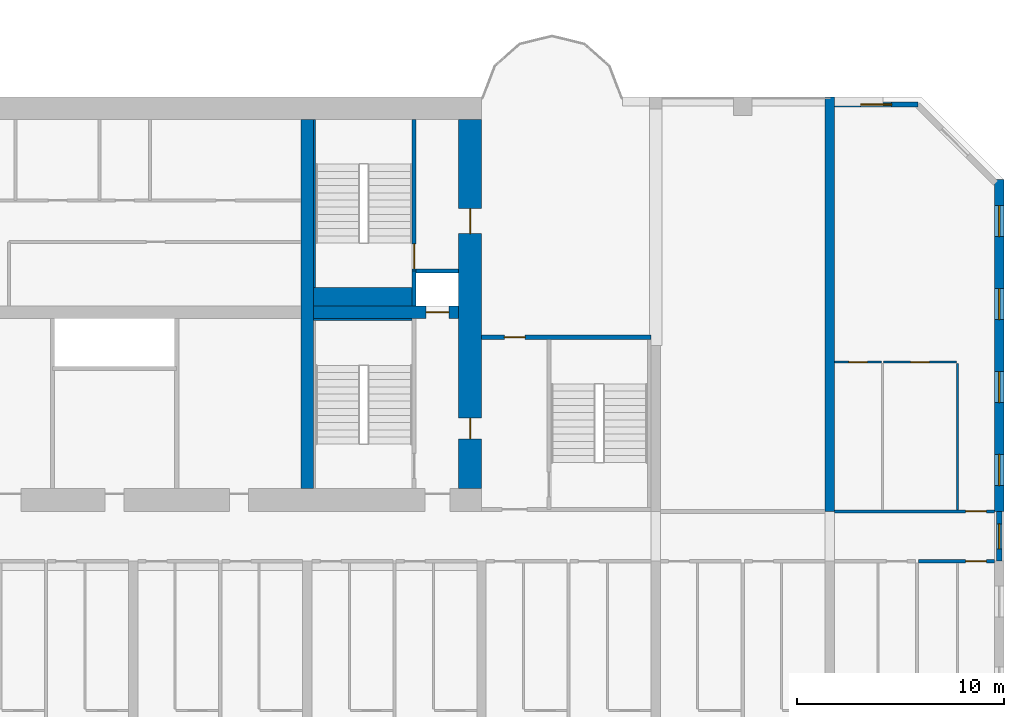
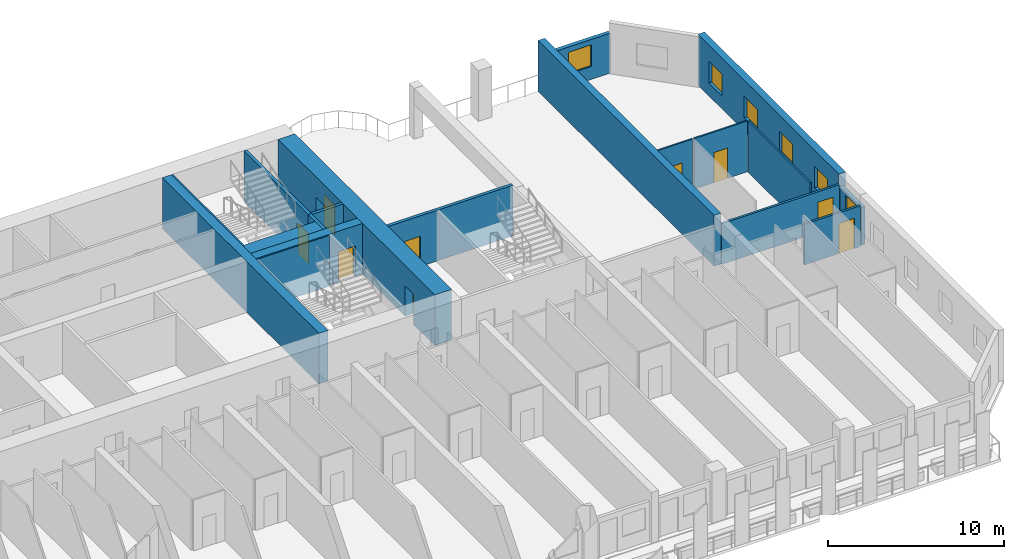
# One storey, part 10 of 14: 19 walls, 9 doors, 6 windows, 15 openings.
"""IFC4 building model written with IfcOpenShell, lengths in metres."""

from ifc_helpers import new_model, si_unit, direction, frame, frame_2d, origin, place, context, subcontext, project, spatial, rectangle, extrude, source, transform, mapped, material, layer, layer_set, type_object, element, fill, save


model = new_model("IFC4")

# Units and contexts
model_context = context("Model", 3, precision=1e-05, world=origin(), true_north=direction((0.0, 1.0)))
body_context = subcontext(model_context, "Body", "Model", "MODEL_VIEW")
ifc_project = project(units=[si_unit("LENGTHUNIT", "METRE"), si_unit("AREAUNIT", "SQUARE_METRE"), si_unit("VOLUMEUNIT", "CUBIC_METRE"), si_unit("PLANEANGLEUNIT", "RADIAN"), si_unit("MASSUNIT", "GRAM", prefix="KILO")], contexts=[model_context])

# Site, building, storey
site_placement = place(None, origin())
site = spatial("IfcSite", under=ifc_project, at=site_placement, CompositionType="ELEMENT")
building_placement = place(site_placement, origin())
building = spatial("IfcBuilding", under=site, at=building_placement, Name="Vanashikhar Sky Hotel", CompositionType="ELEMENT")
storey_placement = place(building_placement, frame((0.0, 0.0, 27.800048828125)))
storey = spatial("IfcBuildingStorey", under=building, at=storey_placement, Name="L05", CompositionType="ELEMENT", Elevation=27.800048828125)

# Wall, openings, doors
ifc_material_1 = material(Name="Concrete M80", Category="concrete")
ifc_layer_1 = layer(ifc_material_1, 1.10009765625)
ifc_layer_set_1 = layer_set([ifc_layer_1], Name="RC core shell wall 1100 Concrete M80")
wall_type_1 = type_object("IfcWallType", Name="RC core shell wall 1100 Concrete M80", PredefinedType="SHEAR", material=ifc_layer_set_1)
shared_shape_1 = source(origin(), body_context, "Body", "SweptSolid", [
    extrude(rectangle(XDim=17.7998046875, YDim=1.10009765625, at=frame_2d((8.89990234375, 0.0))), origin(), (0.0, 0.0, 1.0), 3.52001953125),
])
wall_1_placement = place(storey_placement, frame((75.050048828125, 23.10009765625, 0.0), z_axis=(0.0, 0.0, 1.0), x_axis=(0.0, 1.0, 0.0)))
wall_1 = element("IfcWall", 1, at=wall_1_placement, inside=storey, type_object=wall_type_1, Name="KW-L05-KE", PredefinedType="SHEAR", context=body_context, shape_type="MappedRepresentation", body=[
    mapped(shared_shape_1, transform((0.0, 0.0, 0.0), scale=1.0)),
])
shared_shape_2 = source(origin(), body_context, "Body", "SweptSolid", [
    extrude(rectangle(XDim=1.0, YDim=2.10009765625, at=frame_2d((0.5, 1.050048828125))), frame((0.0, 0.56005859375, 0.0), z_axis=(0.0, -1.0, 0.0), x_axis=(1.0, 0.0, 0.0)), (0.0, 0.0, 1.0), 1.1201171875),
])
opening_1_placement = place(wall_1_placement, frame((2.39990234375, 0.0, 0.0)))
opening_1 = element("IfcOpeningElement", 2, at=opening_1_placement, cuts=wall_1, Name="Opening DC-5", PredefinedType="OPENING", context=body_context, shape_type="MappedRepresentation", body=[
    mapped(shared_shape_2, transform((0.0, 0.0, 0.0), scale=1.0)),
])
shared_shape_3 = source(origin(), body_context, "Body", "SweptSolid", [
    extrude(rectangle(XDim=1.199951171875, YDim=2.10009765625, at=frame_2d((0.60009765625, 1.050048828125))), frame((0.0, 0.56005859375, 0.0), z_axis=(0.0, -1.0, 0.0), x_axis=(1.0, 0.0, 0.0)), (0.0, 0.0, 1.0), 1.1201171875),
])
opening_2_placement = place(wall_1_placement, frame((12.300048828125, 0.0, 0.0)))
opening_2 = element("IfcOpeningElement", 3, at=opening_2_placement, cuts=wall_1, Name="Opening DC-4-D", PredefinedType="OPENING", context=body_context, shape_type="MappedRepresentation", body=[
    mapped(shared_shape_3, transform((0.0, 0.0, 0.0), scale=1.0)),
])
ifc_material_2 = material(Name="Steel", Category="steel")
door_type_1 = type_object("IfcDoorType", Name="Refuge door 1000 FD120", OperationType="NOTDEFINED", PredefinedType="DOOR", material=ifc_material_2)
shared_shape_4 = source(origin(), body_context, "Body", "SweptSolid", [
    extrude(rectangle(XDim=1.0, YDim=2.10009765625, at=frame_2d((0.5, 1.050048828125))), frame((0.0, 0.02490234375, 0.0), z_axis=(0.0, -1.0, 0.0), x_axis=(1.0, 0.0, 0.0)), (0.0, 0.0, 1.0), 0.050048828125),
])
door_1_placement = place(opening_1_placement, origin())
door_1 = element("IfcDoor", 4, at=door_1_placement, inside=storey, type_object=door_type_1, Name="Refuge door 1000 FD120", OperationType="SINGLE_SWING_LEFT", OverallHeight=2.10009765625, OverallWidth=1.0, PredefinedType="DOOR", context=body_context, shape_type="MappedRepresentation", body=[
    mapped(shared_shape_4, transform((0.0, 0.0, 0.0), scale=1.0)),
])
fill(opening_1, door_1)
door_type_2 = type_object("IfcDoorType", Name="Service door 1200 FD120", OperationType="NOTDEFINED", PredefinedType="DOOR", material=ifc_material_2)
shared_shape_5 = source(origin(), body_context, "Body", "SweptSolid", [
    extrude(rectangle(XDim=1.199951171875, YDim=2.10009765625, at=frame_2d((0.60009765625, 1.050048828125))), frame((0.0, 0.02490234375, 0.0), z_axis=(0.0, -1.0, 0.0), x_axis=(1.0, 0.0, 0.0)), (0.0, 0.0, 1.0), 0.050048828125),
])
door_2_placement = place(opening_2_placement, origin())
door_2 = element("IfcDoor", 5, at=door_2_placement, inside=storey, type_object=door_type_2, Name="Service door 1200 FD120", OperationType="SINGLE_SWING_LEFT", OverallHeight=2.10009765625, OverallWidth=1.199951171875, PredefinedType="DOOR", context=body_context, shape_type="MappedRepresentation", body=[
    mapped(shared_shape_5, transform((0.0, 0.0, 0.0), scale=1.0)),
])
fill(opening_2, door_2)

# Wall
ifc_layer_2 = layer(ifc_material_1, 0.60009765625)
ifc_layer_set_2 = layer_set([ifc_layer_2], Name="RC core inner wall 600 Concrete M80")
wall_type_2 = type_object("IfcWallType", Name="RC core inner wall 600 Concrete M80", PredefinedType="SHEAR", material=ifc_layer_set_2)
shared_shape_6 = source(origin(), body_context, "Body", "SweptSolid", [
    extrude(rectangle(XDim=17.7998046875, YDim=0.60009765625, at=frame_2d((8.89990234375, 0.0))), origin(), (0.0, 0.0, 1.0), 3.52001953125),
])
wall_2_placement = place(storey_placement, frame((67.199951171875, 23.10009765625, 0.0), z_axis=(0.0, 0.0, 1.0), x_axis=(0.0, 1.0, 0.0)))
element("IfcWall", 6, at=wall_2_placement, inside=storey, type_object=wall_type_2, Name="KW-L05-KX3", PredefinedType="SHEAR", context=body_context, shape_type="MappedRepresentation", body=[
    mapped(shared_shape_6, transform((0.0, 0.0, 0.0), scale=1.0)),
])

# Wall, opening, door
shared_shape_7 = source(origin(), body_context, "Body", "SweptSolid", [
    extrude(rectangle(XDim=7.0, YDim=0.60009765625, at=frame_2d((3.5, 0.0))), origin(), (0.0, 0.0, 1.0), 3.52001953125),
])
wall_3_placement = place(storey_placement, frame((67.5, 31.60009765625, 0.0), z_axis=(0.0, 0.0, 1.0), x_axis=(1.0, 0.0, 0.0)))
wall_3 = element("IfcWall", 7, at=wall_3_placement, inside=storey, type_object=wall_type_2, Name="KW-L05-KY4", PredefinedType="SHEAR", context=body_context, shape_type="MappedRepresentation", body=[
    mapped(shared_shape_7, transform((0.0, 0.0, 0.0), scale=1.0)),
])
shared_shape_8 = source(origin(), body_context, "Body", "SweptSolid", [
    extrude(rectangle(XDim=1.10009765625, YDim=2.10009765625, at=frame_2d((0.550048828125, 1.050048828125))), frame((0.0, 0.31005859375, 0.0), z_axis=(0.0, -1.0, 0.0), x_axis=(1.0, 0.0, 0.0)), (0.0, 0.0, 1.0), 0.6201171875),
])
opening_3_placement = place(wall_3_placement, frame((5.425048828125, 0.0, 0.0)))
opening_3 = element("IfcOpeningElement", 8, at=opening_3_placement, cuts=wall_3, Name="Opening LD", PredefinedType="OPENING", context=body_context, shape_type="MappedRepresentation", body=[
    mapped(shared_shape_8, transform((0.0, 0.0, 0.0), scale=1.0)),
])
ifc_material_3 = material(Name="Stainless steel", Category="steel")
door_type_3 = type_object("IfcDoorType", Name="Lift landing door 1100", OperationType="NOTDEFINED", PredefinedType="DOOR", material=ifc_material_3)
shared_shape_9 = source(origin(), body_context, "Body", "SweptSolid", [
    extrude(rectangle(XDim=1.10009765625, YDim=2.10009765625, at=frame_2d((0.550048828125, 1.050048828125))), frame((0.0, 0.02490234375, 0.0), z_axis=(0.0, -1.0, 0.0), x_axis=(1.0, 0.0, 0.0)), (0.0, 0.0, 1.0), 0.050048828125),
])
door_3_placement = place(opening_3_placement, origin())
door_3 = element("IfcDoor", 9, at=door_3_placement, inside=storey, type_object=door_type_3, Name="Lift landing door 1100", OperationType="SLIDING_TO_RIGHT", OverallHeight=2.10009765625, OverallWidth=1.10009765625, PredefinedType="DOOR", context=body_context, shape_type="MappedRepresentation", body=[
    mapped(shared_shape_9, transform((0.0, 0.0, 0.0), scale=1.0)),
])
fill(opening_3, door_3)

# Wall, openings, windows
ifc_layer_3 = layer(ifc_material_1, 0.449951171875)
ifc_layer_set_3 = layer_set([ifc_layer_3], Name="RC shear wall 450 Concrete M80")
wall_type_3 = type_object("IfcWallType", Name="RC shear wall 450 Concrete M80", PredefinedType="SHEAR", material=ifc_layer_set_3)
shared_shape_10 = source(origin(), body_context, "Body", "SweptSolid", [
    extrude(rectangle(XDim=16.0, YDim=0.449951171875, at=frame_2d((8.0, 0.0))), origin(), (0.0, 0.0, 1.0), 3.52001953125),
])
wall_4_placement = place(storey_placement, frame((100.574951171875, 22.0, 0.0), z_axis=(0.0, 0.0, 1.0), x_axis=(0.0, 1.0, 0.0)))
wall_4 = element("IfcWall", 10, at=wall_4_placement, inside=storey, type_object=wall_type_3, Name="CW-L05-XW13-2", PredefinedType="SHEAR", context=body_context, shape_type="MappedRepresentation", body=[
    mapped(shared_shape_10, transform((0.0, 0.0, 0.0), scale=1.0)),
])
shared_shape_11 = source(origin(), body_context, "Body", "SweptSolid", [
    extrude(rectangle(XDim=1.5, YDim=1.5, at=frame_2d((0.75, 0.75))), frame((0.0, 0.23486328125, 0.0), z_axis=(0.0, -1.0, 0.0), x_axis=(1.0, 0.0, 0.0)), (0.0, 0.0, 1.0), 0.469970703125),
])
opening_4_placement = place(wall_4_placement, frame((1.25, 0.0, 0.89990234375)))
opening_4 = element("IfcOpeningElement", 11, at=opening_4_placement, cuts=wall_4, Name="Opening WN-1", PredefinedType="OPENING", context=body_context, shape_type="MappedRepresentation", body=[
    mapped(shared_shape_11, transform((0.0, 0.0, 0.0), scale=1.0)),
])
opening_5_placement = place(wall_4_placement, frame((5.25, 0.0, 0.89990234375)))
opening_5 = element("IfcOpeningElement", 12, at=opening_5_placement, cuts=wall_4, Name="Opening WN-1", PredefinedType="OPENING", context=body_context, shape_type="MappedRepresentation", body=[
    mapped(shared_shape_11, transform((0.0, 0.0, 0.0), scale=1.0)),
])
opening_6_placement = place(wall_4_placement, frame((9.25, 0.0, 0.89990234375)))
opening_6 = element("IfcOpeningElement", 13, at=opening_6_placement, cuts=wall_4, Name="Opening WN-1", PredefinedType="OPENING", context=body_context, shape_type="MappedRepresentation", body=[
    mapped(shared_shape_11, transform((0.0, 0.0, 0.0), scale=1.0)),
])
opening_7_placement = place(wall_4_placement, frame((13.25, 0.0, 0.89990234375)))
opening_7 = element("IfcOpeningElement", 14, at=opening_7_placement, cuts=wall_4, Name="Opening WN-1", PredefinedType="OPENING", context=body_context, shape_type="MappedRepresentation", body=[
    mapped(shared_shape_11, transform((0.0, 0.0, 0.0), scale=1.0)),
])
ifc_material_4 = material(Name="Glass", Category="glass")
window_type_1 = type_object("IfcWindowType", Name="Window 1500 x 1500", PartitioningType="SINGLE_PANEL", PredefinedType="WINDOW", material=ifc_material_4)
shared_shape_12 = source(origin(), body_context, "Body", "SweptSolid", [
    extrude(rectangle(XDim=1.5, YDim=1.5, at=frame_2d((0.75, 0.75))), frame((0.0, 0.030029296875, 0.0), z_axis=(0.0, -1.0, 0.0), x_axis=(1.0, 0.0, 0.0)), (0.0, 0.0, 1.0), 0.06005859375),
])
window_1_placement = place(opening_4_placement, origin())
window_1 = element("IfcWindow", 15, at=window_1_placement, inside=storey, type_object=window_type_1, Name="Window WN-1", OverallHeight=1.5, OverallWidth=1.5, PartitioningType="SINGLE_PANEL", PredefinedType="WINDOW", context=body_context, shape_type="MappedRepresentation", body=[
    mapped(shared_shape_12, transform((0.0, 0.0, 0.0), scale=1.0)),
])
fill(opening_4, window_1)
window_2_placement = place(opening_5_placement, origin())
window_2 = element("IfcWindow", 16, at=window_2_placement, inside=storey, type_object=window_type_1, Name="Window WN-1", OverallHeight=1.5, OverallWidth=1.5, PartitioningType="SINGLE_PANEL", PredefinedType="WINDOW", context=body_context, shape_type="MappedRepresentation", body=[
    mapped(shared_shape_12, transform((0.0, 0.0, 0.0), scale=1.0)),
])
fill(opening_5, window_2)
window_3_placement = place(opening_6_placement, origin())
window_3 = element("IfcWindow", 17, at=window_3_placement, inside=storey, type_object=window_type_1, Name="Window WN-1", OverallHeight=1.5, OverallWidth=1.5, PartitioningType="SINGLE_PANEL", PredefinedType="WINDOW", context=body_context, shape_type="MappedRepresentation", body=[
    mapped(shared_shape_12, transform((0.0, 0.0, 0.0), scale=1.0)),
])
fill(opening_6, window_3)
window_4_placement = place(opening_7_placement, origin())
window_4 = element("IfcWindow", 18, at=window_4_placement, inside=storey, type_object=window_type_1, Name="Window WN-1", OverallHeight=1.5, OverallWidth=1.5, PartitioningType="SINGLE_PANEL", PredefinedType="WINDOW", context=body_context, shape_type="MappedRepresentation", body=[
    mapped(shared_shape_12, transform((0.0, 0.0, 0.0), scale=1.0)),
])
fill(opening_7, window_4)

# Wall
shared_shape_13 = source(origin(), body_context, "Body", "SweptSolid", [
    extrude(rectangle(XDim=20.0, YDim=0.449951171875, at=frame_2d((10.0, 0.0))), origin(), (0.0, 0.0, 1.0), 3.52001953125),
])
wall_5_placement = place(storey_placement, frame((92.39990234375, 22.0, 0.0), z_axis=(0.0, 0.0, 1.0), x_axis=(0.0, 1.0, 0.0)))
element("IfcWall", 19, at=wall_5_placement, inside=storey, type_object=wall_type_3, Name="CW-L05-XW12-2", PredefinedType="SHEAR", context=body_context, shape_type="MappedRepresentation", body=[
    mapped(shared_shape_13, transform((0.0, 0.0, 0.0), scale=1.0)),
])

# Wall, opening, window
ifc_material_5 = material(Name="Concrete M50", Category="concrete")
ifc_layer_4 = layer(ifc_material_5, 0.25)
ifc_layer_set_4 = layer_set([ifc_layer_4], Name="Rear and end board-marked wall 250")
wall_type_4 = type_object("IfcWallType", Name="Rear and end board-marked wall 250", PredefinedType="SOLIDWALL", material=ifc_layer_set_4)
shared_shape_14 = source(origin(), body_context, "Body", "SweptSolid", [
    extrude(rectangle(XDim=4.019775390625, YDim=0.25, at=frame_2d((2.009765625, 0.0))), origin(), (0.0, 0.0, 1.0), 2.77001953125),
])
wall_6_placement = place(storey_placement, frame((96.644775390625, 41.625, 0.0), z_axis=(0.0, 0.0, 1.0), x_axis=(-1.0, 0.0, 0.0)))
wall_6 = element("IfcWall", 20, at=wall_6_placement, inside=storey, type_object=wall_type_4, Name="Rear board-marked wall", PredefinedType="SOLIDWALL", context=body_context, shape_type="MappedRepresentation", body=[
    mapped(shared_shape_14, transform((0.0, 0.0, 0.0), scale=1.0)),
])
shared_shape_15 = source(origin(), body_context, "Body", "SweptSolid", [
    extrude(rectangle(XDim=1.5, YDim=1.5, at=frame_2d((0.75, 0.75))), frame((0.0, 0.135009765625, 0.0), z_axis=(0.0, -1.0, 0.0), x_axis=(1.0, 0.0, 0.0)), (0.0, 0.0, 1.0), 0.27001953125),
])
opening_8_placement = place(wall_6_placement, frame((1.260009765625, 0.0, 0.89990234375)))
opening_8 = element("IfcOpeningElement", 21, at=opening_8_placement, cuts=wall_6, Name="Opening WN-1", PredefinedType="OPENING", context=body_context, shape_type="MappedRepresentation", body=[
    mapped(shared_shape_15, transform((0.0, 0.0, 0.0), scale=1.0)),
])
window_5_placement = place(opening_8_placement, origin())
window_5 = element("IfcWindow", 22, at=window_5_placement, inside=storey, type_object=window_type_1, Name="Window WN-1", OverallHeight=1.5, OverallWidth=1.5, PartitioningType="SINGLE_PANEL", PredefinedType="WINDOW", context=body_context, shape_type="MappedRepresentation", body=[
    mapped(shared_shape_12, transform((0.0, 0.0, 0.0), scale=1.0)),
])
fill(opening_8, window_5)

shared_shape_16 = source(origin(), body_context, "Body", "SweptSolid", [
    extrude(rectangle(XDim=2.39990234375, YDim=0.25, at=frame_2d((1.199951171875, 0.0))), origin(), (0.0, 0.0, 1.0), 2.619873046875),
])
wall_7_placement = place(storey_placement, frame((100.574951171875, 19.60009765625, 0.0), z_axis=(0.0, 0.0, 1.0), x_axis=(0.0, 1.0, 0.0)))
wall_7 = element("IfcWall", 23, at=wall_7_placement, inside=storey, type_object=wall_type_4, Name="End corridor infill wall", PredefinedType="SOLIDWALL", context=body_context, shape_type="MappedRepresentation", body=[
    mapped(shared_shape_16, transform((0.0, 0.0, 0.0), scale=1.0)),
])
shared_shape_17 = source(origin(), body_context, "Body", "SweptSolid", [
    extrude(rectangle(XDim=1.199951171875, YDim=1.5, at=frame_2d((0.60009765625, 0.75))), frame((0.0, 0.135009765625, 0.0), z_axis=(0.0, -1.0, 0.0), x_axis=(1.0, 0.0, 0.0)), (0.0, 0.0, 1.0), 0.27001953125),
])
opening_9_placement = place(wall_7_placement, frame((0.60009765625, 0.0, 0.89990234375)))
opening_9 = element("IfcOpeningElement", 24, at=opening_9_placement, cuts=wall_7, Name="Opening WN-3", PredefinedType="OPENING", context=body_context, shape_type="MappedRepresentation", body=[
    mapped(shared_shape_17, transform((0.0, 0.0, 0.0), scale=1.0)),
])
window_type_2 = type_object("IfcWindowType", Name="Corridor end window 1200 x 1500", PartitioningType="SINGLE_PANEL", PredefinedType="WINDOW", material=ifc_material_4)
shared_shape_18 = source(origin(), body_context, "Body", "SweptSolid", [
    extrude(rectangle(XDim=1.199951171875, YDim=1.5, at=frame_2d((0.60009765625, 0.75))), frame((0.0, 0.030029296875, 0.0), z_axis=(0.0, -1.0, 0.0), x_axis=(1.0, 0.0, 0.0)), (0.0, 0.0, 1.0), 0.06005859375),
])
window_6_placement = place(opening_9_placement, origin())
window_6 = element("IfcWindow", 25, at=window_6_placement, inside=storey, type_object=window_type_2, Name="Window WN-3", OverallHeight=1.5, OverallWidth=1.199951171875, PartitioningType="SINGLE_PANEL", PredefinedType="WINDOW", context=body_context, shape_type="MappedRepresentation", body=[
    mapped(shared_shape_18, transform((0.0, 0.0, 0.0), scale=1.0)),
])
fill(opening_9, window_6)

# Wall
ifc_material_6 = material(Name="Concrete M40", Category="concrete")
ifc_layer_5 = layer(ifc_material_6, 0.199951171875)
ifc_layer_set_5 = layer_set([ifc_layer_5], Name="Shaft wall 200")
wall_type_5 = type_object("IfcWallType", Name="Shaft wall 200", PredefinedType="SOLIDWALL", material=ifc_layer_set_5)
shared_shape_19 = source(origin(), body_context, "Body", "SweptSolid", [
    extrude(rectangle(XDim=1.7001953125, YDim=0.199951171875, at=frame_2d((0.85009765625, 0.0))), origin(), (0.0, 0.0, 1.0), 3.52001953125),
])
wall_8_placement = place(storey_placement, frame((72.35009765625, 31.89990234375, 0.0), z_axis=(0.0, 0.0, 1.0), x_axis=(0.0, 1.0, 0.0)))
element("IfcWall", 26, at=wall_8_placement, inside=storey, type_object=wall_type_5, Name="Shaft wall 200", PredefinedType="SOLIDWALL", context=body_context, shape_type="MappedRepresentation", body=[
    mapped(shared_shape_19, transform((0.0, 0.0, 0.0), scale=1.0)),
])

# Wall, opening, door
ifc_layer_6 = layer(ifc_material_5, 0.199951171875)
ifc_layer_set_6 = layer_set([ifc_layer_6], Name="Stair wall 200")
wall_type_6 = type_object("IfcWallType", Name="Stair wall 200", PredefinedType="SOLIDWALL", material=ifc_layer_set_6)
shared_shape_20 = source(origin(), body_context, "Body", "SweptSolid", [
    extrude(rectangle(XDim=7.2998046875, YDim=0.199951171875, at=frame_2d((3.64990234375, 0.0))), origin(), (0.0, 0.0, 1.0), 3.52001953125),
])
wall_9_placement = place(storey_placement, frame((72.35009765625, 33.60009765625, 0.0), z_axis=(0.0, 0.0, 1.0), x_axis=(0.0, 1.0, 0.0)))
wall_9 = element("IfcWall", 27, at=wall_9_placement, inside=storey, type_object=wall_type_6, Name="Stair wall 200", PredefinedType="SOLIDWALL", context=body_context, shape_type="MappedRepresentation", body=[
    mapped(shared_shape_20, transform((0.0, 0.0, 0.0), scale=1.0)),
])
shared_shape_21 = source(origin(), body_context, "Body", "SweptSolid", [
    extrude(rectangle(XDim=1.199951171875, YDim=2.10009765625, at=frame_2d((0.60009765625, 1.050048828125))), frame((0.0, 0.10986328125, 0.0), z_axis=(0.0, -1.0, 0.0), x_axis=(1.0, 0.0, 0.0)), (0.0, 0.0, 1.0), 0.219970703125),
])
opening_10_placement = place(wall_9_placement, frame((0.10009765625, 0.0, 0.0)))
opening_10 = element("IfcOpeningElement", 28, at=opening_10_placement, cuts=wall_9, Name="Opening DC-1", PredefinedType="OPENING", context=body_context, shape_type="MappedRepresentation", body=[
    mapped(shared_shape_21, transform((0.0, 0.0, 0.0), scale=1.0)),
])
door_type_4 = type_object("IfcDoorType", Name="Stair door 1200 FD120", OperationType="NOTDEFINED", PredefinedType="DOOR", material=ifc_material_2)
door_4_placement = place(opening_10_placement, origin())
door_4 = element("IfcDoor", 29, at=door_4_placement, inside=storey, type_object=door_type_4, Name="Stair door 1200 FD120", OperationType="SINGLE_SWING_LEFT", OverallHeight=2.10009765625, OverallWidth=1.199951171875, PredefinedType="DOOR", context=body_context, shape_type="MappedRepresentation", body=[
    mapped(shared_shape_5, transform((0.0, 0.0, 0.0), scale=1.0)),
])
fill(opening_10, door_4)

# Wall
shared_shape_22 = source(origin(), body_context, "Body", "SweptSolid", [
    extrude(rectangle(XDim=2.050048828125, YDim=0.199951171875, at=frame_2d((1.02490234375, 0.0))), origin(), (0.0, 0.0, 1.0), 3.52001953125),
])
wall_10_placement = place(storey_placement, frame((72.449951171875, 33.60009765625, 0.0), z_axis=(0.0, 0.0, 1.0), x_axis=(1.0, 0.0, 0.0)))
element("IfcWall", 30, at=wall_10_placement, inside=storey, type_object=wall_type_5, Name="Shaft wall 200", PredefinedType="SOLIDWALL", context=body_context, shape_type="MappedRepresentation", body=[
    mapped(shared_shape_22, transform((0.0, 0.0, 0.0), scale=1.0)),
])

# Wall, opening, door
shared_shape_23 = source(origin(), body_context, "Body", "SweptSolid", [
    extrude(rectangle(XDim=8.1748046875, YDim=0.199951171875, at=frame_2d((4.08740234375, 0.0))), origin(), (0.0, 0.0, 1.0), 3.52001953125),
])
wall_11_placement = place(storey_placement, frame((83.77490234375, 30.39990234375, 0.0), z_axis=(0.0, 0.0, 1.0), x_axis=(-1.0, 0.0, 0.0)))
wall_11 = element("IfcWall", 31, at=wall_11_placement, inside=storey, type_object=wall_type_6, Name="Stair wall 200", PredefinedType="SOLIDWALL", context=body_context, shape_type="MappedRepresentation", body=[
    mapped(shared_shape_23, transform((0.0, 0.0, 0.0), scale=1.0)),
])
shared_shape_24 = source(origin(), body_context, "Body", "SweptSolid", [
    extrude(rectangle(XDim=1.0, YDim=2.10009765625, at=frame_2d((0.5, 1.050048828125))), frame((0.0, 0.10986328125, 0.0), z_axis=(0.0, -1.0, 0.0), x_axis=(1.0, 0.0, 0.0)), (0.0, 0.0, 1.0), 0.219970703125),
])
opening_11_placement = place(wall_11_placement, frame((6.074951171875, 0.0, 0.0)))
opening_11 = element("IfcOpeningElement", 32, at=opening_11_placement, cuts=wall_11, Name="Opening DC-6", PredefinedType="OPENING", context=body_context, shape_type="MappedRepresentation", body=[
    mapped(shared_shape_24, transform((0.0, 0.0, 0.0), scale=1.0)),
])
door_type_5 = type_object("IfcDoorType", Name="Pocket door 1000 FD60", OperationType="NOTDEFINED", PredefinedType="DOOR", material=ifc_material_2)
door_5_placement = place(opening_11_placement, origin())
door_5 = element("IfcDoor", 33, at=door_5_placement, inside=storey, type_object=door_type_5, Name="Pocket door 1000 FD60", OperationType="SINGLE_SWING_LEFT", OverallHeight=2.10009765625, OverallWidth=1.0, PredefinedType="DOOR", context=body_context, shape_type="MappedRepresentation", body=[
    mapped(shared_shape_4, transform((0.0, 0.0, 0.0), scale=1.0)),
])
fill(opening_11, door_5)

# Walls
ifc_layer_7 = layer(ifc_material_5, 0.10009765625)
ifc_layer_set_7 = layer_set([ifc_layer_7], Name="Stair infill wall 100")
wall_type_7 = type_object("IfcWallType", Name="Stair infill wall 100", PredefinedType="SOLIDWALL", material=ifc_layer_set_7)
shared_shape_25 = source(origin(), body_context, "Body", "SweptSolid", [
    extrude(rectangle(XDim=4.75, YDim=0.10009765625, at=frame_2d((2.375, 0.0))), origin(), (0.0, 0.0, 1.0), 3.52001953125),
])
wall_12_placement = place(storey_placement, frame((67.5, 31.25, 0.0), z_axis=(0.0, 0.0, 1.0), x_axis=(1.0, 0.0, 0.0)))
element("IfcWall", 34, at=wall_12_placement, inside=storey, type_object=wall_type_7, Name="Stair infill wall 100", PredefinedType="SOLIDWALL", context=body_context, shape_type="MappedRepresentation", body=[
    mapped(shared_shape_25, transform((0.0, 0.0, 0.0), scale=1.0)),
])
shared_shape_26 = source(origin(), body_context, "Body", "SweptSolid", [
    extrude(rectangle(XDim=8.099853515625, YDim=0.10009765625, at=frame_2d((4.0498046875, 0.0))), origin(), (0.0, 0.0, 1.0), 3.52001953125),
])
wall_13_placement = place(storey_placement, frame((67.550048828125, 32.800048828125, 0.0), z_axis=(0.0, 0.0, 1.0), x_axis=(0.0, 1.0, 0.0)))
element("IfcWall", 35, at=wall_13_placement, inside=storey, type_object=wall_type_7, Name="Stair infill wall 100", PredefinedType="SOLIDWALL", context=body_context, shape_type="MappedRepresentation", body=[
    mapped(shared_shape_26, transform((0.0, 0.0, 0.0), scale=1.0)),
])
ifc_layer_8 = layer(ifc_material_5, 0.89990234375)
ifc_layer_set_8 = layer_set([ifc_layer_8], Name="Stair infill wall 900")
wall_type_8 = type_object("IfcWallType", Name="Stair infill wall 900", PredefinedType="SOLIDWALL", material=ifc_layer_set_8)
shared_shape_27 = source(origin(), body_context, "Body", "SweptSolid", [
    extrude(rectangle(XDim=4.75, YDim=0.89990234375, at=frame_2d((2.375, 0.0))), origin(), (0.0, 0.0, 1.0), 3.52001953125),
])
wall_14_placement = place(storey_placement, frame((67.5, 32.35009765625, 0.0), z_axis=(0.0, 0.0, 1.0), x_axis=(1.0, 0.0, 0.0)))
element("IfcWall", 36, at=wall_14_placement, inside=storey, type_object=wall_type_8, Name="Stair infill wall 900", PredefinedType="SOLIDWALL", context=body_context, shape_type="MappedRepresentation", body=[
    mapped(shared_shape_27, transform((0.0, 0.0, 0.0), scale=1.0)),
])

# Wall, opening, door
ifc_material_7 = material(Name="Gypsum plasterboard partition")
ifc_layer_9 = layer(ifc_material_7, 0.14990234375)
ifc_layer_set_9 = layer_set([ifc_layer_9], Name="Corridor and demising partition 150")
wall_type_9 = type_object("IfcWallType", Name="Corridor and demising partition 150", PredefinedType="PARTITIONING", material=ifc_layer_set_9)
shared_shape_28 = source(origin(), body_context, "Body", "SweptSolid", [
    extrude(rectangle(XDim=3.675048828125, YDim=0.14990234375, at=frame_2d((1.83740234375, 0.0))), origin(), (0.0, 0.0, 1.0), 2.820068359375),
])
wall_15_placement = place(storey_placement, frame((96.675048828125, 19.60009765625, 0.0), z_axis=(0.0, 0.0, 1.0), x_axis=(1.0, 0.0, 0.0)))
wall_15 = element("IfcWall", 37, at=wall_15_placement, inside=storey, type_object=wall_type_9, Name="W-L05-PW083", PredefinedType="PARTITIONING", context=body_context, shape_type="MappedRepresentation", body=[
    mapped(shared_shape_28, transform((0.0, 0.0, 0.0), scale=1.0)),
])
shared_shape_29 = source(origin(), body_context, "Body", "SweptSolid", [
    extrude(rectangle(XDim=1.0, YDim=2.10009765625, at=frame_2d((0.5, 1.050048828125))), frame((0.0, 0.0849609375, 0.0), z_axis=(0.0, -1.0, 0.0), x_axis=(1.0, 0.0, 0.0)), (0.0, 0.0, 1.0), 0.169921875),
])
opening_12_placement = place(wall_15_placement, frame((2.27490234375, 0.0, 0.0)))
opening_12 = element("IfcOpeningElement", 38, at=opening_12_placement, cuts=wall_15, Name="Opening D-01", PredefinedType="OPENING", context=body_context, shape_type="MappedRepresentation", body=[
    mapped(shared_shape_29, transform((0.0, 0.0, 0.0), scale=1.0)),
])
ifc_material_8 = material(Name="Timber fire door", Category="wood")
door_type_6 = type_object("IfcDoorType", Name="Guest entry door 1000 FD30S", OperationType="NOTDEFINED", PredefinedType="DOOR", material=ifc_material_8)
door_6_placement = place(opening_12_placement, origin())
door_6 = element("IfcDoor", 39, at=door_6_placement, inside=storey, type_object=door_type_6, Name="D-L05-048", OperationType="SINGLE_SWING_RIGHT", OverallHeight=2.10009765625, OverallWidth=1.0, PredefinedType="DOOR", context=body_context, shape_type="MappedRepresentation", body=[
    mapped(shared_shape_4, transform((0.0, 0.0, 0.0), scale=1.0)),
])
fill(opening_12, door_6)

# Wall
ifc_layer_10 = layer(ifc_material_7, 0.10009765625)
ifc_layer_set_10 = layer_set([ifc_layer_10], Name="Wet room partition 100")
wall_type_10 = type_object("IfcWallType", Name="Wet room partition 100", PredefinedType="PARTITIONING", material=ifc_layer_set_10)
shared_shape_30 = source(origin(), body_context, "Body", "SweptSolid", [
    extrude(rectangle(XDim=7.050048828125, YDim=0.10009765625, at=frame_2d((3.52490234375, 0.0))), origin(), (0.0, 0.0, 1.0), 3.52001953125),
])
wall_16_placement = place(storey_placement, frame((98.550048828125, 22.074951171875, 0.0), z_axis=(0.0, 0.0, 1.0), x_axis=(0.0, 1.0, 0.0)))
element("IfcWall", 40, at=wall_16_placement, inside=storey, type_object=wall_type_10, Name="W-L05-PW101", PredefinedType="PARTITIONING", context=body_context, shape_type="MappedRepresentation", body=[
    mapped(shared_shape_30, transform((0.0, 0.0, 0.0), scale=1.0)),
])

# Wall, opening, door
shared_shape_31 = source(origin(), body_context, "Body", "SweptSolid", [
    extrude(rectangle(XDim=3.5, YDim=0.10009765625, at=frame_2d((1.75, 0.0))), origin(), (0.0, 0.0, 1.0), 3.52001953125),
])
wall_17_placement = place(storey_placement, frame((95.0, 29.199951171875, 0.0), z_axis=(0.0, 0.0, 1.0), x_axis=(1.0, 0.0, 0.0)))
wall_17 = element("IfcWall", 41, at=wall_17_placement, inside=storey, type_object=wall_type_10, Name="W-L05-PW103", PredefinedType="PARTITIONING", context=body_context, shape_type="MappedRepresentation", body=[
    mapped(shared_shape_31, transform((0.0, 0.0, 0.0), scale=1.0)),
])
shared_shape_32 = source(origin(), body_context, "Body", "SweptSolid", [
    extrude(rectangle(XDim=0.89990234375, YDim=2.10009765625, at=frame_2d((0.449951171875, 1.050048828125))), frame((0.0, 0.06005859375, 0.0), z_axis=(0.0, -1.0, 0.0), x_axis=(1.0, 0.0, 0.0)), (0.0, 0.0, 1.0), 0.1201171875),
])
opening_13_placement = place(wall_17_placement, frame((1.300048828125, 0.0, 0.0)))
opening_13 = element("IfcOpeningElement", 42, at=opening_13_placement, cuts=wall_17, Name="Opening D-02", PredefinedType="OPENING", context=body_context, shape_type="MappedRepresentation", body=[
    mapped(shared_shape_32, transform((0.0, 0.0, 0.0), scale=1.0)),
])
ifc_material_9 = material(Name="Timber door", Category="wood")
door_type_7 = type_object("IfcDoorType", Name="Internal door 900", OperationType="NOTDEFINED", PredefinedType="DOOR", material=ifc_material_9)
shared_shape_33 = source(origin(), body_context, "Body", "SweptSolid", [
    extrude(rectangle(XDim=0.89990234375, YDim=2.10009765625, at=frame_2d((0.449951171875, 1.050048828125))), frame((0.0, 0.02490234375, 0.0), z_axis=(0.0, -1.0, 0.0), x_axis=(1.0, 0.0, 0.0)), (0.0, 0.0, 1.0), 0.050048828125),
])
door_7_placement = place(opening_13_placement, origin())
door_7 = element("IfcDoor", 43, at=door_7_placement, inside=storey, type_object=door_type_7, Name="D-L05-057", OperationType="SINGLE_SWING_RIGHT", OverallHeight=2.10009765625, OverallWidth=0.89990234375, PredefinedType="DOOR", context=body_context, shape_type="MappedRepresentation", body=[
    mapped(shared_shape_33, transform((0.0, 0.0, 0.0), scale=1.0)),
])
fill(opening_13, door_7)

shared_shape_34 = source(origin(), body_context, "Body", "SweptSolid", [
    extrude(rectangle(XDim=2.27490234375, YDim=0.10009765625, at=frame_2d((1.137451171875, 0.0))), origin(), (0.0, 0.0, 1.0), 3.52001953125),
])
wall_18_placement = place(storey_placement, frame((92.625, 29.199951171875, 0.0), z_axis=(0.0, 0.0, 1.0), x_axis=(1.0, 0.0, 0.0)))
wall_18 = element("IfcWall", 44, at=wall_18_placement, inside=storey, type_object=wall_type_10, Name="W-L05-PW104", PredefinedType="PARTITIONING", context=body_context, shape_type="MappedRepresentation", body=[
    mapped(shared_shape_34, transform((0.0, 0.0, 0.0), scale=1.0)),
])
opening_14_placement = place(wall_18_placement, frame((0.68798828125, 0.0, 0.0)))
opening_14 = element("IfcOpeningElement", 45, at=opening_14_placement, cuts=wall_18, Name="Opening D-02", PredefinedType="OPENING", context=body_context, shape_type="MappedRepresentation", body=[
    mapped(shared_shape_32, transform((0.0, 0.0, 0.0), scale=1.0)),
])
door_8_placement = place(opening_14_placement, origin())
door_8 = element("IfcDoor", 46, at=door_8_placement, inside=storey, type_object=door_type_7, Name="D-L05-058", OperationType="SINGLE_SWING_RIGHT", OverallHeight=2.10009765625, OverallWidth=0.89990234375, PredefinedType="DOOR", context=body_context, shape_type="MappedRepresentation", body=[
    mapped(shared_shape_33, transform((0.0, 0.0, 0.0), scale=1.0)),
])
fill(opening_14, door_8)

shared_shape_35 = source(origin(), body_context, "Body", "SweptSolid", [
    extrude(rectangle(XDim=7.72509765625, YDim=0.14990234375, at=frame_2d((3.862548828125, 0.0))), origin(), (0.0, 0.0, 1.0), 2.820068359375),
])
wall_19_placement = place(storey_placement, frame((92.625, 22.0, 0.0), z_axis=(0.0, 0.0, 1.0), x_axis=(1.0, 0.0, 0.0)))
wall_19 = element("IfcWall", 47, at=wall_19_placement, inside=storey, type_object=wall_type_9, Name="W-L05-PW105", PredefinedType="PARTITIONING", context=body_context, shape_type="MappedRepresentation", body=[
    mapped(shared_shape_35, transform((0.0, 0.0, 0.0), scale=1.0)),
])
opening_15_placement = place(wall_19_placement, frame((6.324951171875, 0.0, 0.0)))
opening_15 = element("IfcOpeningElement", 48, at=opening_15_placement, cuts=wall_19, Name="Opening D-01", PredefinedType="OPENING", context=body_context, shape_type="MappedRepresentation", body=[
    mapped(shared_shape_29, transform((0.0, 0.0, 0.0), scale=1.0)),
])
door_9_placement = place(opening_15_placement, origin())
door_9 = element("IfcDoor", 49, at=door_9_placement, inside=storey, type_object=door_type_6, Name="D-L05-059", OperationType="SINGLE_SWING_RIGHT", OverallHeight=2.10009765625, OverallWidth=1.0, PredefinedType="DOOR", context=body_context, shape_type="MappedRepresentation", body=[
    mapped(shared_shape_4, transform((0.0, 0.0, 0.0), scale=1.0)),
])
fill(opening_15, door_9)

save(model, "model.ifc")
